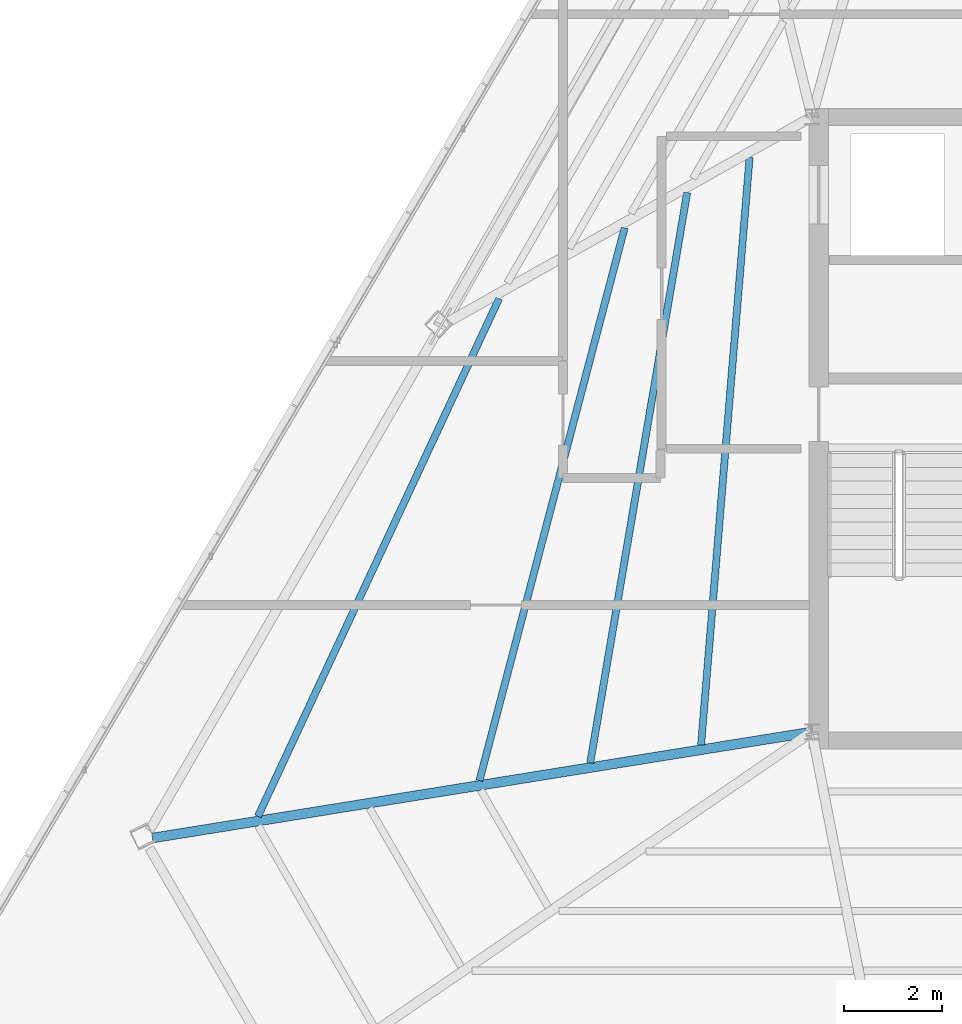
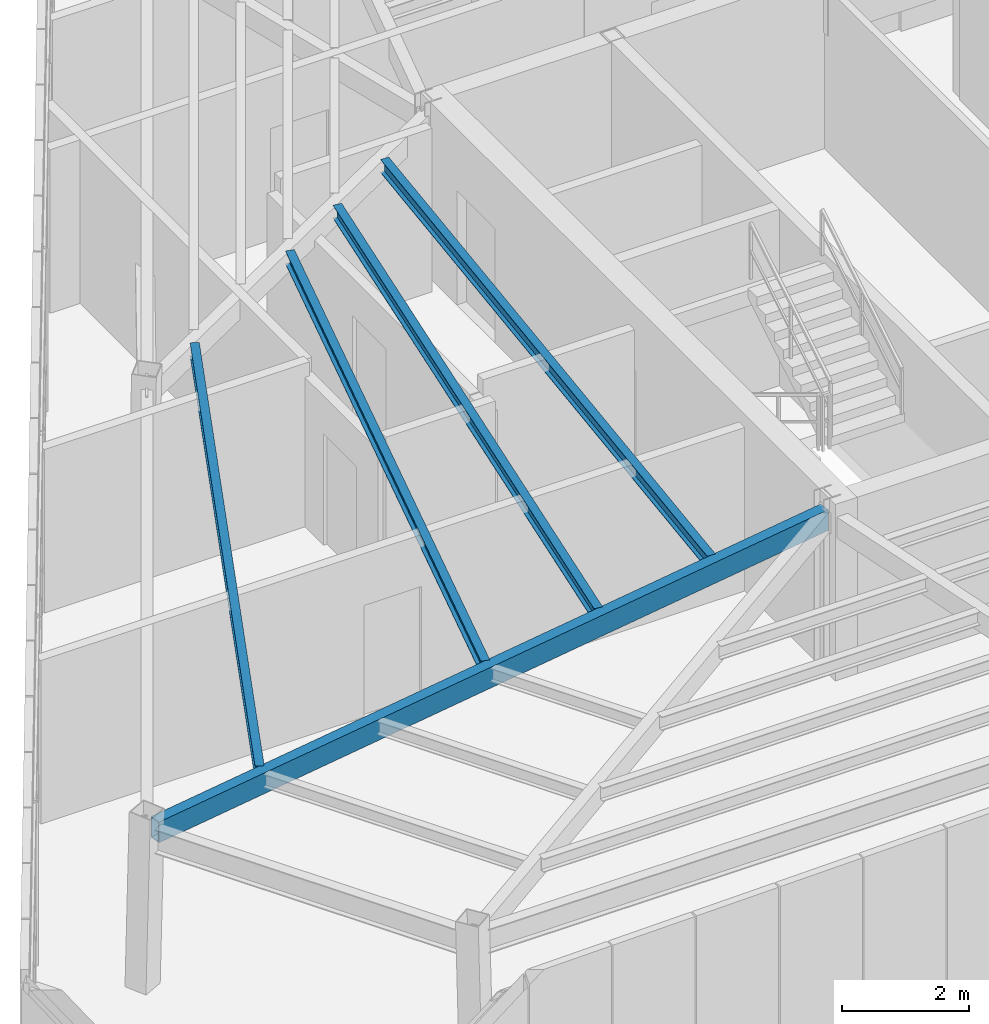
# One storey, part 10 of 44: 5 beams.
"""IFC4 building model written with IfcOpenShell, lengths in metres."""

from ifc_helpers import new_model, si_unit, direction, frame, origin, origin_2d, place, context, subcontext, project, spatial, hollow_rectangle, i_section, extrude, source, transform, mapped, material, material_profile, profile_set, type_object, type_shapes, element, save


model = new_model("IFC4")

# Units and contexts
model_context = context("Model", 3, precision=1e-05, world=origin(), true_north=direction((0.0, 1.0)))
body_context = subcontext(model_context, "Body", "Model", "MODEL_VIEW")
ifc_project = project(units=[si_unit("LENGTHUNIT", "METRE"), si_unit("AREAUNIT", "SQUARE_METRE"), si_unit("VOLUMEUNIT", "CUBIC_METRE"), si_unit("PLANEANGLEUNIT", "RADIAN"), si_unit("MASSUNIT", "GRAM", prefix="KILO")], contexts=[model_context])

# Site, building, storey
site_placement = place(None, origin())
site = spatial("IfcSite", under=ifc_project, at=site_placement, CompositionType="ELEMENT")
building_placement = place(site_placement, origin())
building = spatial("IfcBuilding", under=site, at=building_placement, Name="Caelisora Broadcast Tower", CompositionType="ELEMENT")
storey_placement = place(building_placement, frame((0.0, 0.0, 289.800048828125)))
storey = spatial("IfcBuildingStorey", under=building, at=storey_placement, Name="L76", CompositionType="ELEMENT", Elevation=289.800048828125)

# Beams
ifc_material_1 = material(Name="Steel Grade 350 (AS/NZS 1163 C350L0)", Category="steel")
ifc_material_profile_1 = material_profile(ifc_material_1, hollow_rectangle(XDim=0.199951171875, YDim=0.39990234375, WallThickness=0.012451171875, at=origin_2d()), Name="Steel Grade 350 (AS/NZS 1163 C350L0)")
ifc_profile_set_1 = profile_set([ifc_material_profile_1], Name="Steel Grade 350 (AS/NZS 1163 C350L0)")
beam_type_1 = type_object("IfcBeamType", Name="PG07", PredefinedType="BEAM", material=ifc_profile_set_1)
shared_shape_1 = source(origin(), body_context, "Body", "SweptSolid", [
    extrude(hollow_rectangle(XDim=0.199951171875, YDim=0.39990234375, WallThickness=0.012451171875, at=origin_2d()), origin(), (0.0, 0.0, 1.0), 13.624267578125),
])
type_shapes(beam_type_1, [shared_shape_1])
beam_1_placement = place(storey_placement, frame((30.44091796875, 17.390380859375, 2.949951171875), z_axis=(-0.987304740976, -0.15883749068, 0.0), x_axis=(0.15883749068, -0.987304740976, 0.0)))
element("IfcBeam", 1, at=beam_1_placement, inside=storey, type_object=beam_type_1, Name="L76 beam PG07", PredefinedType="BEAM", context=body_context, shape_type="MappedRepresentation", body=[
    mapped(shared_shape_1, transform((0.0, 0.0, 0.0), scale=1.0)),
])
ifc_material_2 = material(Name="Steel Grade 350 (AS/NZS 3679.1)", Category="steel")
ifc_material_profile_2 = material_profile(ifc_material_2, i_section(OverallWidth=0.14599609375, OverallDepth=0.256103515625, WebThickness=0.00634765625, FlangeThickness=0.010986328125, at=origin_2d()), Name="Steel Grade 350 (AS/NZS 3679.1)")
ifc_profile_set_2 = profile_set([ifc_material_profile_2], Name="Steel Grade 350 (AS/NZS 3679.1)")
beam_type_2 = type_object("IfcBeamType", Name="SB04", PredefinedType="JOIST", material=ifc_profile_set_2)
shared_shape_2 = source(origin(), body_context, "Body", "SweptSolid", [
    extrude(i_section(OverallWidth=0.14599609375, OverallDepth=0.256103515625, WebThickness=0.00634765625, FlangeThickness=0.010986328125, at=origin_2d()), origin(), (0.0, 0.0, 1.0), 12.076416015625),
])
beam_2_placement = place(storey_placement, frame((29.222412109375, 29.168212890625, 3.02197265625), z_axis=(-0.082280856215, -0.996609181525, 0.0), x_axis=(0.996609181525, -0.082280856215, 0.0)))
element("IfcBeam", 2, at=beam_2_placement, inside=storey, type_object=beam_type_2, Name="L76 beam SB04", PredefinedType="JOIST", context=body_context, shape_type="MappedRepresentation", body=[
    mapped(shared_shape_2, transform((0.0, 0.0, 0.0), scale=1.0)),
])
shared_shape_3 = source(origin(), body_context, "Body", "SweptSolid", [
    extrude(i_section(OverallWidth=0.14599609375, OverallDepth=0.256103515625, WebThickness=0.00634765625, FlangeThickness=0.010986328125, at=origin_2d()), origin(), (0.0, 0.0, 1.0), 11.846923828125),
])
beam_3_placement = place(storey_placement, frame((27.943359375, 28.447021484375, 3.02197265625), z_axis=(-0.167542817081, -0.985864800287, 0.0), x_axis=(0.985864800287, -0.167542817081, 0.0)))
element("IfcBeam", 3, at=beam_3_placement, inside=storey, type_object=beam_type_2, Name="L76 beam SB04", PredefinedType="JOIST", context=body_context, shape_type="MappedRepresentation", body=[
    mapped(shared_shape_3, transform((0.0, 0.0, 0.0), scale=1.0)),
])
shared_shape_4 = source(origin(), body_context, "Body", "SweptSolid", [
    extrude(i_section(OverallWidth=0.14599609375, OverallDepth=0.256103515625, WebThickness=0.00634765625, FlangeThickness=0.010986328125, at=origin_2d()), origin(), (0.0, 0.0, 1.0), 11.7060546875),
])
beam_4_placement = place(storey_placement, frame((26.662109375, 27.724609375, 3.02197265625), z_axis=(-0.254006660332, -0.967202469242, 0.0), x_axis=(0.967202469242, -0.254006660332, 0.0)))
element("IfcBeam", 4, at=beam_4_placement, inside=storey, type_object=beam_type_2, Name="L76 beam SB04", PredefinedType="JOIST", context=body_context, shape_type="MappedRepresentation", body=[
    mapped(shared_shape_4, transform((0.0, 0.0, 0.0), scale=1.0)),
])
shared_shape_5 = source(origin(), body_context, "Body", "SweptSolid", [
    extrude(i_section(OverallWidth=0.14599609375, OverallDepth=0.256103515625, WebThickness=0.00634765625, FlangeThickness=0.010986328125, at=origin_2d()), origin(), (0.0, 0.0, 1.0), 11.69482421875),
])
type_shapes(beam_type_2, [shared_shape_2, shared_shape_3, shared_shape_4, shared_shape_5])
beam_5_placement = place(storey_placement, frame((24.08984375, 26.274658203125, 3.02197265625), z_axis=(-0.422173344677, -0.906515122347, 0.0), x_axis=(0.906515122347, -0.422173344677, 0.0)))
element("IfcBeam", 5, at=beam_5_placement, inside=storey, type_object=beam_type_2, Name="L76 beam SB04", PredefinedType="JOIST", context=body_context, shape_type="MappedRepresentation", body=[
    mapped(shared_shape_5, transform((0.0, 0.0, 0.0), scale=1.0)),
])

save(model, "model.ifc")
